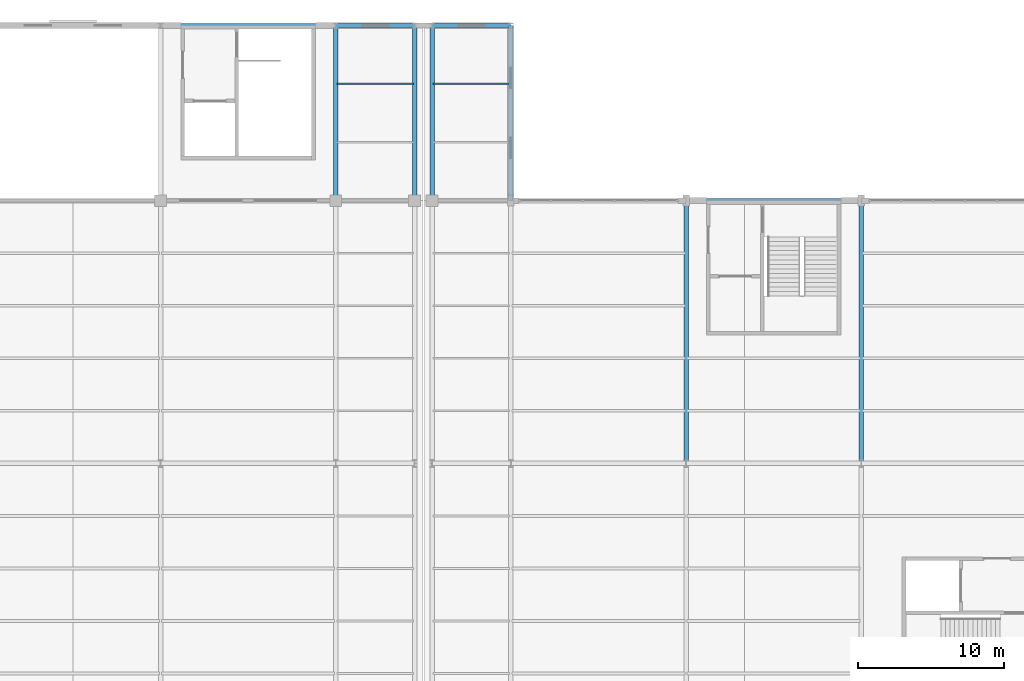
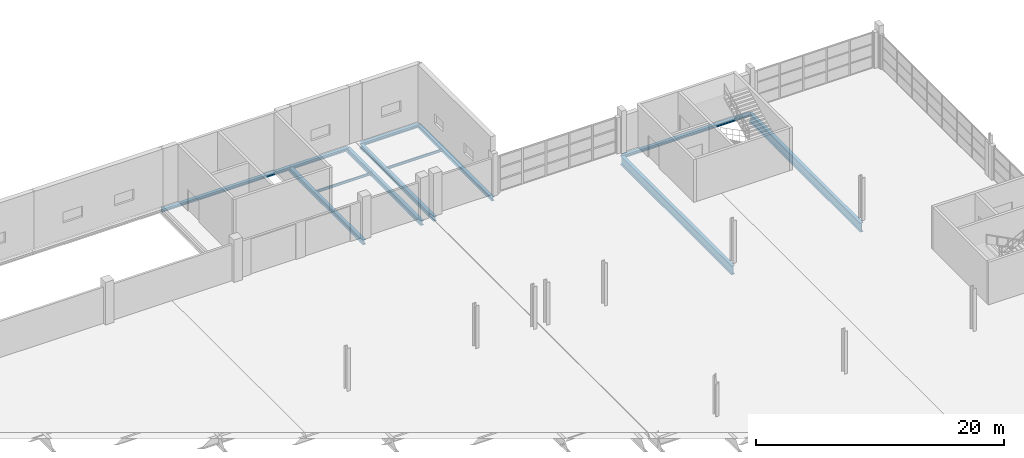
# One storey, part 115 of 147: 12 beams.
"""IFC4 building model written with IfcOpenShell, lengths in metres."""

from ifc_helpers import new_model, si_unit, direction, frame, origin, origin_2d, place, context, subcontext, project, spatial, i_section, extrude, material, material_profile, profile_set, type_object, element, save


model = new_model("IFC4")

# Units and contexts
model_context = context("Model", 3, precision=1e-05, world=origin(), true_north=direction((0.0, 1.0)))
body_context = subcontext(model_context, "Body", "Model", "MODEL_VIEW")
ifc_project = project(units=[si_unit("LENGTHUNIT", "METRE"), si_unit("AREAUNIT", "SQUARE_METRE"), si_unit("VOLUMEUNIT", "CUBIC_METRE"), si_unit("PLANEANGLEUNIT", "RADIAN"), si_unit("MASSUNIT", "GRAM", prefix="KILO")], contexts=[model_context])

# Site, building, storey
site_placement = place(None, origin())
site = spatial("IfcSite", under=ifc_project, at=site_placement, CompositionType="ELEMENT")
building_placement = place(site_placement, origin())
building = spatial("IfcBuilding", under=site, at=building_placement, Name="Zilviju Railside Exhibition Hall", CompositionType="ELEMENT")
storey_placement = place(building_placement, frame((0.0, 0.0, 8.39990234375)))
storey = spatial("IfcBuildingStorey", under=building, at=storey_placement, Name="L03", CompositionType="ELEMENT", Elevation=8.39990234375)

# Beams
ifc_material = material(Name="Steel S355J2", Category="steel")
ifc_material_profile_1 = material_profile(ifc_material, i_section(OverallWidth=0.300048828125, OverallDepth=0.2900390625, WebThickness=0.008544921875, FlangeThickness=0.013916015625, at=origin_2d()), Name="HEA 300")
ifc_profile_set_1 = profile_set([ifc_material_profile_1], Name="Steel S355J2")
beam_type_1 = type_object("IfcBeamType", Name="BM-HEA300", PredefinedType="SPANDREL", material=ifc_profile_set_1)
for number, where, z_axis, x_axis, name in (
    (1, (192.0, 138.0, -0.52490234375), (1.0, 0.0, 0.0), (0.0, 1.0, 0.0), "Primary Girder L03 Y=138.0 (192.0..204.0)"),
    (2, (156.0, 150.0, -0.5048828125), (1.0, 0.0, 0.0), (0.0, 1.0, 0.0), "Primary Girder L03 Y=150.0 (156.0..168.0)"),
):
    element("IfcBeam", number, at=place(storey_placement, frame(where, z_axis=z_axis, x_axis=x_axis)), inside=storey, type_object=beam_type_1, Name=name, PredefinedType="SPANDREL", context=body_context, shape_type="SweptSolid", body=[
        extrude(i_section(OverallWidth=0.300048828125, OverallDepth=0.2900390625, WebThickness=0.008544921875, FlangeThickness=0.013916015625, at=origin_2d()), origin(), (0.0, 0.0, 1.0), 12.0),
    ])
for number, where, z_axis, x_axis, name in (
    (3, (168.0, 150.0, -0.5048828125), (1.0, 0.0, 0.0), (0.0, 1.0, 0.0), "Primary Girder L03 Y=150.0 (168.0..173.4)"),
    (4, (174.60009765625, 150.0, -0.5048828125), (1.0, 0.0, 0.0), (0.0, 1.0, 0.0), "Primary Girder L03 Y=150.0 (174.6..180.0)"),
):
    element("IfcBeam", number, at=place(storey_placement, frame(where, z_axis=z_axis, x_axis=x_axis)), inside=storey, type_object=beam_type_1, Name=name, PredefinedType="SPANDREL", context=body_context, shape_type="SweptSolid", body=[
        extrude(i_section(OverallWidth=0.300048828125, OverallDepth=0.2900390625, WebThickness=0.008544921875, FlangeThickness=0.013916015625, at=origin_2d()), origin(), (0.0, 0.0, 1.0), 5.39990234375),
    ])
ifc_material_profile_2 = material_profile(ifc_material, i_section(OverallWidth=0.300048828125, OverallDepth=0.35009765625, WebThickness=0.010009765625, FlangeThickness=0.017578125, at=origin_2d()), Name="HEA 360")
ifc_profile_set_2 = profile_set([ifc_material_profile_2], Name="Steel S355J2")
beam_type_2 = type_object("IfcBeamType", Name="BM-HEA360", PredefinedType="BEAM", material=ifc_profile_set_2)
beam_placement = place(storey_placement, frame((180.0, 138.0, -0.554931640625), z_axis=(0.0, 1.0, 0.0), x_axis=(-1.0, 0.0, 0.0)))
element("IfcBeam", 5, at=beam_placement, inside=storey, type_object=beam_type_2, Name="Transverse Girder L03 X=180.0 (138.0..150.0)", PredefinedType="BEAM", context=body_context, shape_type="SweptSolid", body=[
    extrude(i_section(OverallWidth=0.300048828125, OverallDepth=0.35009765625, WebThickness=0.010009765625, FlangeThickness=0.017578125, at=origin_2d()), origin(), (0.0, 0.0, 1.0), 12.0),
])
ifc_material_profile_3 = material_profile(ifc_material, i_section(OverallWidth=0.300048828125, OverallDepth=0.449951171875, WebThickness=0.013916015625, FlangeThickness=0.02587890625, at=origin_2d()), Name="HEB 450")
ifc_profile_set_3 = profile_set([ifc_material_profile_3], Name="Steel S355J2")
beam_type_3 = type_object("IfcBeamType", Name="BM-HEB450", PredefinedType="BEAM", material=ifc_profile_set_3)
for number, where, z_axis, x_axis, name in (
    (6, (168.0, 138.0, -0.60498046875), (0.0, 1.0, 0.0), (-1.0, 0.0, 0.0), "Transverse Girder L03 X=168.0 (138.0..150.0)"),
    (7, (173.39990234375, 138.0, -0.60498046875), (0.0, 1.0, 0.0), (-1.0, 0.0, 0.0), "Transverse Girder L03 X=173.4 (138.0..150.0)"),
    (8, (174.60009765625, 138.0, -0.60498046875), (0.0, 1.0, 0.0), (-1.0, 0.0, 0.0), "Transverse Girder L03 X=174.6 (138.0..150.0)"),
):
    element("IfcBeam", number, at=place(storey_placement, frame(where, z_axis=z_axis, x_axis=x_axis)), inside=storey, type_object=beam_type_3, Name=name, PredefinedType="BEAM", context=body_context, shape_type="SweptSolid", body=[
        extrude(i_section(OverallWidth=0.300048828125, OverallDepth=0.449951171875, WebThickness=0.013916015625, FlangeThickness=0.02587890625, at=origin_2d()), origin(), (0.0, 0.0, 1.0), 12.0),
    ])
ifc_material_profile_4 = material_profile(ifc_material, i_section(OverallWidth=0.300048828125, OverallDepth=0.89990234375, WebThickness=0.0185546875, FlangeThickness=0.034912109375, at=origin_2d()), Name="HEB 900")
ifc_profile_set_4 = profile_set([ifc_material_profile_4], Name="Steel S355J2")
beam_type_4 = type_object("IfcBeamType", Name="BM-HEB900", PredefinedType="BEAM", material=ifc_profile_set_4)
for number, where, z_axis, x_axis, name in (
    (9, (192.0, 120.0, -0.829833984375), (0.0, 1.0, 0.0), (-1.0, 0.0, 0.0), "Transverse Girder L03 X=192.0 (120.0..138.0)"),
    (10, (204.0, 120.0, -0.829833984375), (0.0, 1.0, 0.0), (-1.0, 0.0, 0.0), "Transverse Girder L03 X=204.0 (120.0..138.0)"),
):
    element("IfcBeam", number, at=place(storey_placement, frame(where, z_axis=z_axis, x_axis=x_axis)), inside=storey, type_object=beam_type_4, Name=name, PredefinedType="BEAM", context=body_context, shape_type="SweptSolid", body=[
        extrude(i_section(OverallWidth=0.300048828125, OverallDepth=0.89990234375, WebThickness=0.0185546875, FlangeThickness=0.034912109375, at=origin_2d()), origin(), (0.0, 0.0, 1.0), 18.0),
    ])
ifc_material_profile_5 = material_profile(ifc_material, i_section(OverallWidth=0.1201171875, OverallDepth=0.239990234375, WebThickness=0.006103515625, FlangeThickness=0.009765625, at=origin_2d()), Name="IPE 240")
ifc_profile_set_5 = profile_set([ifc_material_profile_5], Name="Steel S355J2")
beam_type_5 = type_object("IfcBeamType", Name="BM-IPE240", PredefinedType="JOIST", material=ifc_profile_set_5)
for number, where, z_axis, x_axis, name in (
    (11, (168.080078125, 146.0, -0.5), (1.0, 0.0, 0.0), (0.0, 1.0, 0.0), "Composite Floor Joist L03 Y=146.00 (168.0..173.4)"),
    (12, (174.679931640625, 146.0, -0.5), (1.0, 0.0, 0.0), (0.0, 1.0, 0.0), "Composite Floor Joist L03 Y=146.00 (174.6..180.0)"),
):
    element("IfcBeam", number, at=place(storey_placement, frame(where, z_axis=z_axis, x_axis=x_axis)), inside=storey, type_object=beam_type_5, Name=name, PredefinedType="JOIST", context=body_context, shape_type="SweptSolid", body=[
        extrude(i_section(OverallWidth=0.1201171875, OverallDepth=0.239990234375, WebThickness=0.006103515625, FlangeThickness=0.009765625, at=origin_2d()), origin(), (0.0, 0.0, 1.0), 5.239990234375),
    ])

save(model, "model.ifc")
